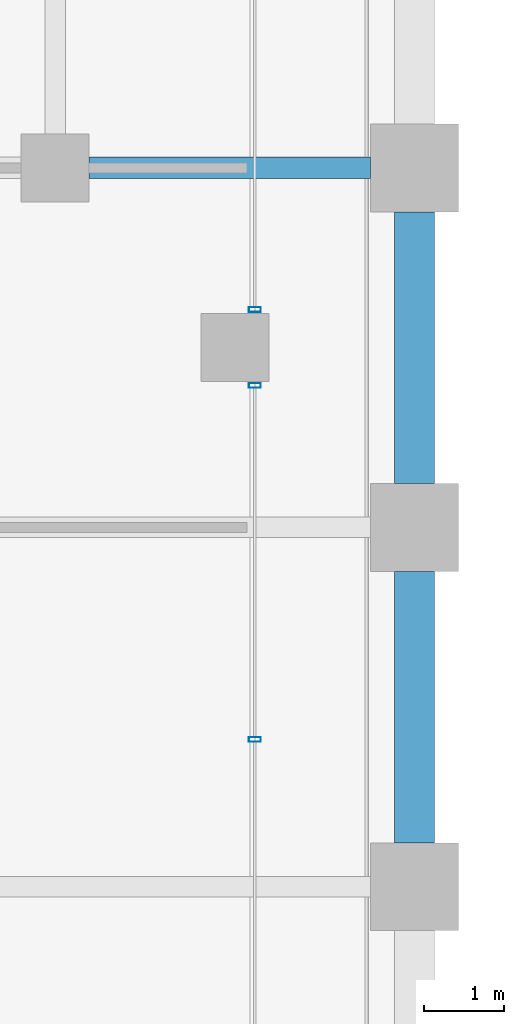
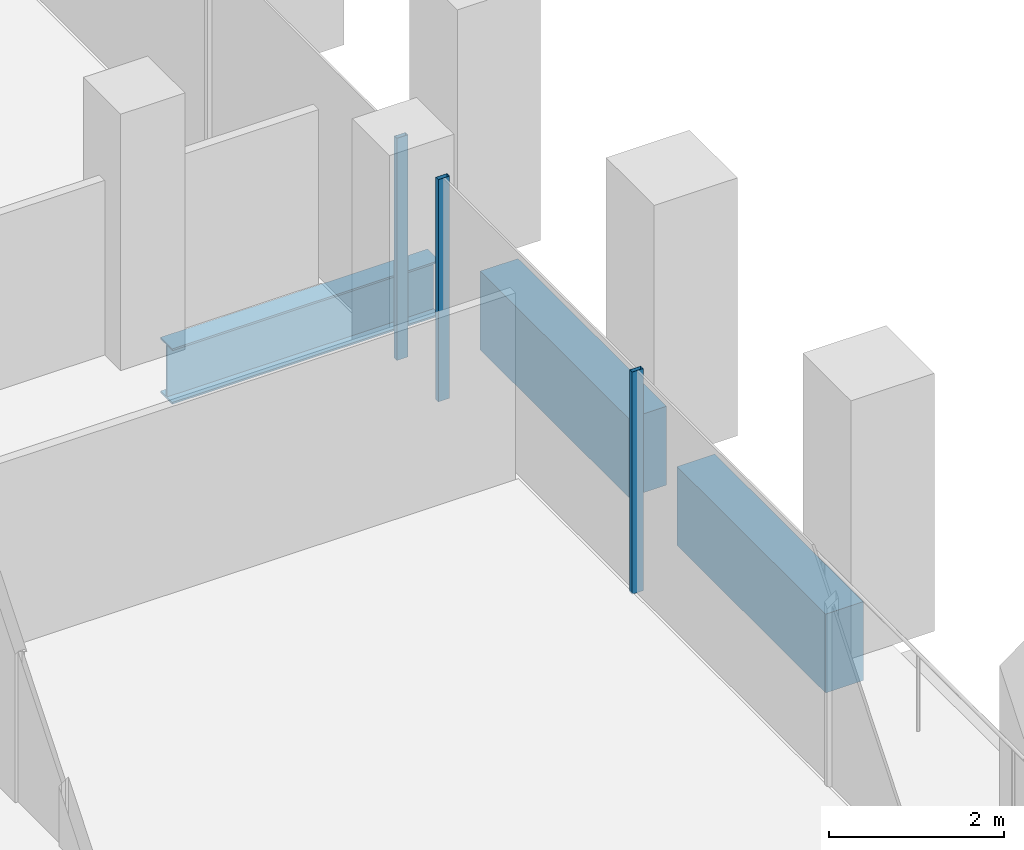
# One storey, part 22 of 56: 3 beams, 3 members, 2 elements without a shape of their own.
"""IFC4 building model written with IfcOpenShell, lengths in metres."""

import ifcopenshell
import ifcopenshell.guid

model = None  # the IFC model being written
_history = None  # IfcOwnerHistory: only IFC2X3 demands one
_inside = {}  # id of a spatial element -> (the spatial element, [elements in it])
_under = {}  # id of a project, library or spatial element -> (it, [spatial elements below it])
_declared = {}  # id of a project -> (the project, [libraries it declares])
_typed = {}  # id of a type object -> (the type object, [elements of that type])
_made_of = {}  # id of a material, layer set ... -> (it, [elements and type objects made of it])


def new_model(schema):
    """Start an empty IFC model of exactly this schema.

    Asked for "IFC4X3", IfcOpenShell would pick the latest addendum, in which some entities
    have other attributes; the version numbers below select the first issue.
    IFC2X3 requires an IfcOwnerHistory on every rooted entity: one is made here for all.
    """
    global model, _history
    if schema == "IFC4X3":
        model = ifcopenshell.file(schema_version=(4, 3, 0, 0))
    else:
        model = ifcopenshell.file(schema=schema)
    _inside.clear()
    _under.clear()
    _declared.clear()
    _typed.clear()
    _made_of.clear()
    _history = None
    if model.schema == "IFC2X3":
        org = make("IfcOrganization", Name="unknown")
        user = make(
            "IfcPersonAndOrganization",
            ThePerson=make("IfcPerson", FamilyName="unknown"),
            TheOrganization=org,
        )
        app = make(
            "IfcApplication",
            ApplicationDeveloper=org,
            Version="unknown",
            ApplicationFullName="unknown",
            ApplicationIdentifier="unknown",
        )
        _history = make(
            "IfcOwnerHistory",
            OwningUser=user,
            OwningApplication=app,
            ChangeAction="ADDED",
            CreationDate=0,
        )
    return model


def make(cls, **values):
    """One entity of the class cls with the attributes given. An attribute that is None is left unset."""
    return model.create_entity(
        cls, **{name: value for name, value in values.items() if value is not None}
    )


def rooted(cls, **values):
    """An entity with a GlobalId (a new one), such as an element, a storey or a relation."""
    return make(cls, GlobalId=ifcopenshell.guid.new(), OwnerHistory=_history, **values)


def si_unit(unit_type, name, prefix=None):
    """IfcSIUnit, for example si_unit("LENGTHUNIT", "METRE", prefix="MILLI")."""
    return make("IfcSIUnit", UnitType=unit_type, Prefix=prefix, Name=name)


def assignment(units):
    """IfcUnitAssignment: the units of a project."""
    return None if units is None else make("IfcUnitAssignment", Units=units)


def point(xyz):
    """IfcCartesianPoint."""
    return None if xyz is None else make("IfcCartesianPoint", Coordinates=xyz)


def direction(xyz):
    """IfcDirection."""
    return None if xyz is None else make("IfcDirection", DirectionRatios=xyz)


def frame(location, z_axis=None, x_axis=None):
    """IfcAxis2Placement3D, a coordinate frame: its origin and axes. An axis left out is left unset."""
    return make(
        "IfcAxis2Placement3D",
        Location=point(location),
        Axis=direction(z_axis),
        RefDirection=direction(x_axis),
    )


def frame_2d(location, x_axis=None):
    """IfcAxis2Placement2D, a coordinate frame in the plane: its origin and x axis."""
    return make(
        "IfcAxis2Placement2D", Location=point(location), RefDirection=direction(x_axis)
    )


def origin():
    """The frame at (0, 0, 0) with its axes left unset."""
    return frame((0.0, 0.0, 0.0))


def origin_2d():
    """The frame at (0, 0) in the plane with its x axis left unset."""
    return frame_2d((0.0, 0.0))


def place(relative_to, where):
    """IfcLocalPlacement: puts the frame where relative to a parent placement (None: the world)."""
    return make(
        "IfcLocalPlacement", PlacementRelTo=relative_to, RelativePlacement=where
    )


def context(
    kind, dimensions, precision=None, world=None, true_north=None, identifier=None
):
    """IfcGeometricRepresentationContext, for example the 3D "Model" context."""
    return make(
        "IfcGeometricRepresentationContext",
        ContextIdentifier=identifier,
        ContextType=kind,
        CoordinateSpaceDimension=dimensions,
        Precision=precision,
        WorldCoordinateSystem=world,
        TrueNorth=true_north,
    )


def subcontext(parent, identifier, kind, view, scale=None):
    """IfcGeometricRepresentationSubContext, for example "Body" below "Model"."""
    return make(
        "IfcGeometricRepresentationSubContext",
        ContextIdentifier=identifier,
        ContextType=kind,
        ParentContext=parent,
        TargetScale=scale,
        TargetView=view,
    )


def project(units=None, contexts=None):
    """IfcProject with its units and contexts."""
    return rooted(
        "IfcProject",
        Name="project",
        RepresentationContexts=contexts,
        UnitsInContext=assignment(units),
    )


def spatial(cls, under=None, at=None, **own):
    """A site, building, storey or space (cls), placed at a placement, below another one or the project."""
    s = rooted(cls, ObjectPlacement=at, **own)
    if under is not None:
        _under.setdefault(under.id(), (under, []))[1].append(s)
    return s


def profile(cls, at=None, kind="AREA", **sizes):
    """A parametric profile (cls). Its sizes go by their IFC names, for example OverallWidth=200.0."""
    return make(cls, ProfileType=kind, Position=at, **sizes)


def rectangle(**sizes):
    """IfcRectangleProfileDef."""
    return profile("IfcRectangleProfileDef", **sizes)


def hollow_rectangle(**sizes):
    """IfcRectangleHollowProfileDef."""
    return profile("IfcRectangleHollowProfileDef", **sizes)


def i_section(**sizes):
    """IfcIShapeProfileDef."""
    return profile("IfcIShapeProfileDef", **sizes)


def extrude(swept, where, along, depth):
    """IfcExtrudedAreaSolid: the profile swept, set in the frame where, extruded along a direction by depth."""
    return make(
        "IfcExtrudedAreaSolid",
        SweptArea=swept,
        Position=where,
        ExtrudedDirection=direction(along),
        Depth=depth,
    )


def shape(context_of_items, identifier, shape_type, items):
    """IfcShapeRepresentation: the items that make up one representation, for example the "Body"."""
    return make(
        "IfcShapeRepresentation",
        ContextOfItems=context_of_items,
        RepresentationIdentifier=identifier,
        RepresentationType=shape_type,
        Items=items,
    )


def material(Name=None, Category=None):
    """IfcMaterial."""
    return make("IfcMaterial", Name=Name, Category=Category)


def material_profile(
    of_material, cross_section, Name=None, Category=None, Priority=None
):
    """IfcMaterialProfile: a cross section and its material."""
    return make(
        "IfcMaterialProfile",
        Name=Name,
        Material=of_material,
        Profile=cross_section,
        Priority=Priority,
        Category=Category,
    )


def profile_set(profiles, Name=None, composite=None):
    """IfcMaterialProfileSet."""
    return make(
        "IfcMaterialProfileSet",
        Name=Name,
        MaterialProfiles=profiles,
        CompositeProfile=composite,
    )


def made_of(thing, what):
    """Note that an element or type object is made of a material, layer set ...; save() writes the relation."""
    if what is not None:
        _made_of.setdefault(what.id(), (what, []))[1].append(thing)
    return thing


def type_object(cls, material=None, **own):
    """A type object (cls), such as IfcWallType, which elements share."""
    return made_of(rooted(cls, **own), material)


def element(
    cls,
    number,
    at=None,
    inside=None,
    cuts=None,
    type_object=None,
    material=None,
    context=None,
    identifier="Body",
    shape_type=None,
    held_by="IfcProductDefinitionShape",
    body=None,
    shapes=None,
    **own,
):
    """One element of the class cls, such as IfcWall. Its Tag is "e" and its number.

    at: its placement. inside: the storey or other place that contains it. cuts: it is an
    opening in that element (IfcRelVoidsElement). A single representation is given by context,
    identifier, shape_type and body (its items); several are given by shapes. held_by: the class
    of the entity that holds the representations. save() writes the other relations.
    """
    e = rooted(cls, Tag="e%d" % number, ObjectPlacement=at, **own)
    if body is not None:
        shapes = [shape(context, identifier, shape_type, body)]
    if shapes is not None:
        e.Representation = make(held_by, Representations=shapes)
    if inside is not None:
        _inside.setdefault(inside.id(), (inside, []))[1].append(e)
    if cuts is not None:
        rooted(
            "IfcRelVoidsElement", RelatingBuildingElement=cuts, RelatedOpeningElement=e
        )
    if type_object is not None:
        _typed.setdefault(type_object.id(), (type_object, []))[1].append(e)
    return made_of(e, material)


def aggregate(whole, parts):
    """IfcRelAggregates: a whole, such as a stair, and the parts it consists of."""
    return rooted("IfcRelAggregates", RelatingObject=whole, RelatedObjects=parts)


def save(model, path):
    """Write the relations noted so far, then the file.

    IfcRelAggregates (storeys below a building ...), IfcRelContainedInSpatialStructure (elements
    in a storey), IfcRelDefinesByType, IfcRelAssociatesMaterial and IfcRelDeclares: one each for
    every whole, place, type object, material and project.
    """
    for whole, parts in _under.values():
        aggregate(whole, parts)
    for where, things in _inside.values():
        rooted(
            "IfcRelContainedInSpatialStructure",
            RelatedElements=things,
            RelatingStructure=where,
        )
    for kind, things in _typed.values():
        rooted("IfcRelDefinesByType", RelatedObjects=things, RelatingType=kind)
    for what, things in _made_of.values():
        rooted("IfcRelAssociatesMaterial", RelatedObjects=things, RelatingMaterial=what)
    for by, libraries in _declared.values():
        rooted("IfcRelDeclares", RelatingContext=by, RelatedDefinitions=libraries)
    model.write(path)


model = new_model("IFC4")

# Units and contexts
model_context = context("Model", 3, precision=1e-05, world=origin(), true_north=direction((0.0, 1.0)))
body_context = subcontext(model_context, "Body", "Model", "MODEL_VIEW")
ifc_project = project(units=[si_unit("LENGTHUNIT", "METRE"), si_unit("AREAUNIT", "SQUARE_METRE"), si_unit("VOLUMEUNIT", "CUBIC_METRE"), si_unit("PLANEANGLEUNIT", "RADIAN"), si_unit("MASSUNIT", "GRAM", prefix="KILO")], contexts=[model_context])

# Site, building, storey
site_placement = place(None, origin())
site = spatial("IfcSite", under=ifc_project, at=site_placement, CompositionType="ELEMENT")
building_placement = place(site_placement, origin())
building = spatial("IfcBuilding", under=site, at=building_placement, Name="Altepetl Exchange Towers", CompositionType="ELEMENT")
storey_placement = place(building_placement, frame((0.0, 0.0, 83.39990234375)))
storey = spatial("IfcBuildingStorey", under=building, at=storey_placement, Name="L20", CompositionType="ELEMENT", Elevation=83.39990234375)

# Beam
ifc_material_1 = material(Name="Steel S355", Category="steel")
ifc_material_profile_1 = material_profile(ifc_material_1, i_section(OverallWidth=0.26806640625, OverallDepth=0.77392578125, WebThickness=0.015380859375, FlangeThickness=0.025390625, at=origin_2d()), Name="W30X132")
ifc_profile_set_1 = profile_set([ifc_material_profile_1], Name="Steel S355")
beam_type_1 = type_object("IfcBeamType", Name="Girder W30X132", PredefinedType="BEAM", material=ifc_profile_set_1)
beam_placement = place(storey_placement, frame((67.925048828125, 58.5, -0.536865234375), z_axis=(1.0, 0.0, 0.0), x_axis=(0.0, 1.0, 0.0)))
element("IfcBeam", 1, at=beam_placement, inside=storey, type_object=beam_type_1, Name="gd:A:L20:002", PredefinedType="BEAM", context=body_context, shape_type="SweptSolid", body=[
    extrude(i_section(OverallWidth=0.26806640625, OverallDepth=0.77392578125, WebThickness=0.015380859375, FlangeThickness=0.025390625, at=origin_2d()), origin(), (0.0, 0.0, 1.0), 3.52490234375),
])

# Curtain wall, members
ifc_material_2 = material(Name="Aluminium 6063-T6 glazing", Category="aluminium")
curtain_wall_type = type_object("IfcCurtainWallType", Name="Loggia glazing system", PredefinedType="NOTDEFINED", material=ifc_material_2)
curtain_wall_1_placement = place(storey_placement, origin())
curtain_wall_1 = element("IfcCurtainWall", 2, at=curtain_wall_1_placement, inside=storey, type_object=curtain_wall_type, Name="CW1 run", PredefinedType="NOTDEFINED")
ifc_material_3 = material(Name="Aluminium 6063-T6", Category="aluminium")
ifc_material_profile_2 = material_profile(ifc_material_3, hollow_rectangle(XDim=0.06005859375, YDim=0.14990234375, WallThickness=0.0029296875, at=origin_2d()), Name="Mullion 60x150 aluminium")
ifc_profile_set_2 = profile_set([ifc_material_profile_2], Name="Aluminium 6063-T6")
member_type = type_object("IfcMemberType", Name="Mullion 60x150 aluminium", PredefinedType="MULLION", material=ifc_profile_set_2)
member_1_placement = place(storey_placement, frame((70.0, 51.343994140625, 0.0), z_axis=(0.0, 0.0, 1.0), x_axis=(0.0, 1.0, 0.0)))
member_1 = element("IfcMember", 3, at=member_1_placement, type_object=member_type, Name="MU1 mullion", PredefinedType="MULLION", context=body_context, shape_type="SweptSolid", body=[
    extrude(hollow_rectangle(XDim=0.06005859375, YDim=0.14990234375, WallThickness=0.0029296875, at=origin_2d()), origin(), (0.0, 0.0, 1.0), 3.10009765625),
])
member_2_placement = place(storey_placement, frame((70.0, 55.77490234375, 0.0), z_axis=(0.0, 0.0, 1.0), x_axis=(0.0, 1.0, 0.0)))
member_2 = element("IfcMember", 4, at=member_2_placement, type_object=member_type, Name="MU1 mullion", PredefinedType="MULLION", context=body_context, shape_type="SweptSolid", body=[
    extrude(hollow_rectangle(XDim=0.06005859375, YDim=0.14990234375, WallThickness=0.0029296875, at=origin_2d()), origin(), (0.0, 0.0, 1.0), 3.10009765625),
])
aggregate(curtain_wall_1, [member_1, member_2])

# Curtain wall, member
curtain_wall_2_placement = place(storey_placement, origin())
curtain_wall_2 = element("IfcCurtainWall", 5, at=curtain_wall_2_placement, inside=storey, type_object=curtain_wall_type, Name="CW1 run", PredefinedType="NOTDEFINED")
member_3_placement = place(storey_placement, frame((70.0, 56.72509765625, 0.0), z_axis=(0.0, 0.0, 1.0), x_axis=(0.0, 1.0, 0.0)))
member_3 = element("IfcMember", 6, at=member_3_placement, type_object=member_type, Name="MU1 mullion", PredefinedType="MULLION", context=body_context, shape_type="SweptSolid", body=[
    extrude(hollow_rectangle(XDim=0.06005859375, YDim=0.14990234375, WallThickness=0.0029296875, at=origin_2d()), origin(), (0.0, 0.0, 1.0), 3.10009765625),
])
aggregate(curtain_wall_2, [member_3])

# Beams
ifc_material_4 = material(Name="Concrete C50/60 precast with cantera amarilla facing", Category="concrete")
ifc_material_profile_3 = material_profile(ifc_material_4, rectangle(XDim=0.5, YDim=1.10009765625, at=origin_2d()), Name="500 x 1100")
ifc_profile_set_3 = profile_set([ifc_material_profile_3], Name="Concrete C50/60 precast with cantera amarilla facing")
beam_type_2 = type_object("IfcBeamType", Name="Spandrel beam 500x1100 cantera amarilla", PredefinedType="SPANDREL", material=ifc_profile_set_3)
for number, where, z_axis, x_axis, name in (
    (7, (72.0, 50.050048828125, -0.699951171875), (0.0, 1.0, 0.0), (-1.0, 0.0, 0.0), "sp:A:L20:016"),
    (8, (72.0, 54.550048828125, -0.699951171875), (0.0, 1.0, 0.0), (-1.0, 0.0, 0.0), "sp:A:L20:017"),
):
    element("IfcBeam", number, at=place(storey_placement, frame(where, z_axis=z_axis, x_axis=x_axis)), inside=storey, type_object=beam_type_2, Name=name, PredefinedType="SPANDREL", context=body_context, shape_type="SweptSolid", body=[
        extrude(rectangle(XDim=0.5, YDim=1.10009765625, at=origin_2d()), origin(), (0.0, 0.0, 1.0), 3.39990234375),
    ])

save(model, "model.ifc")
